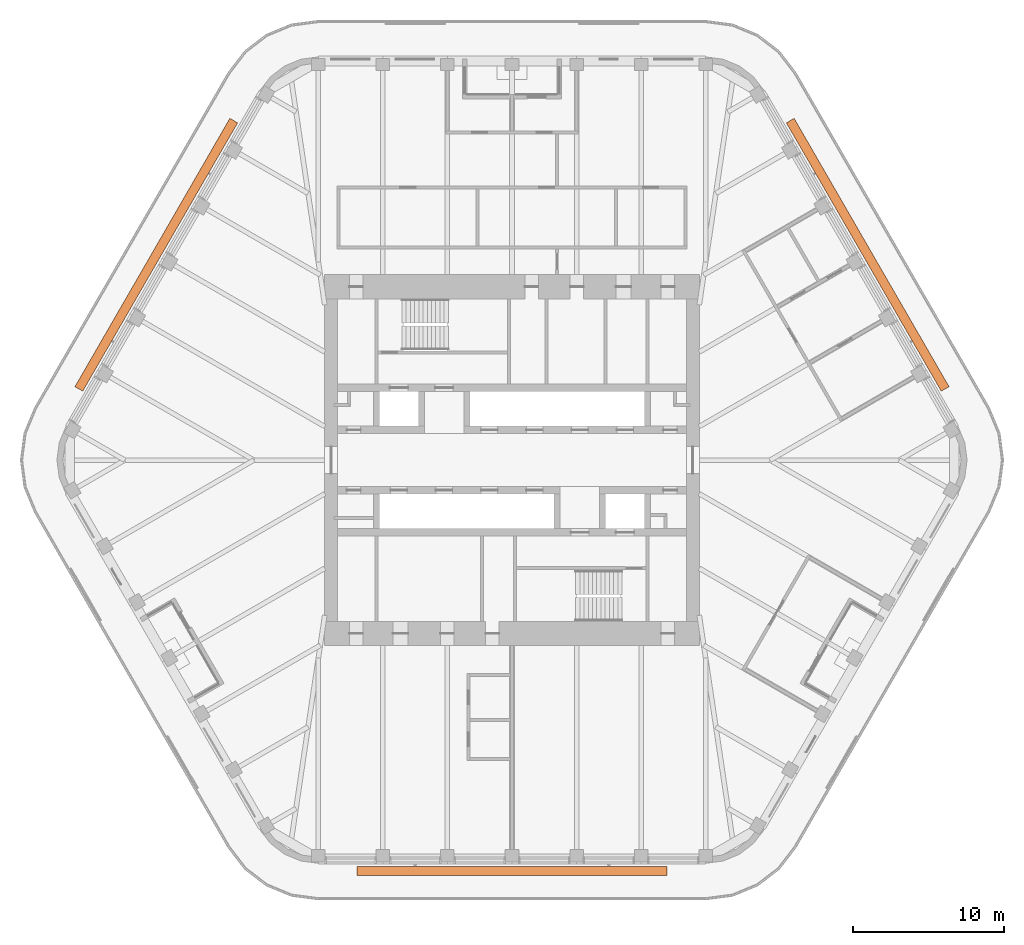
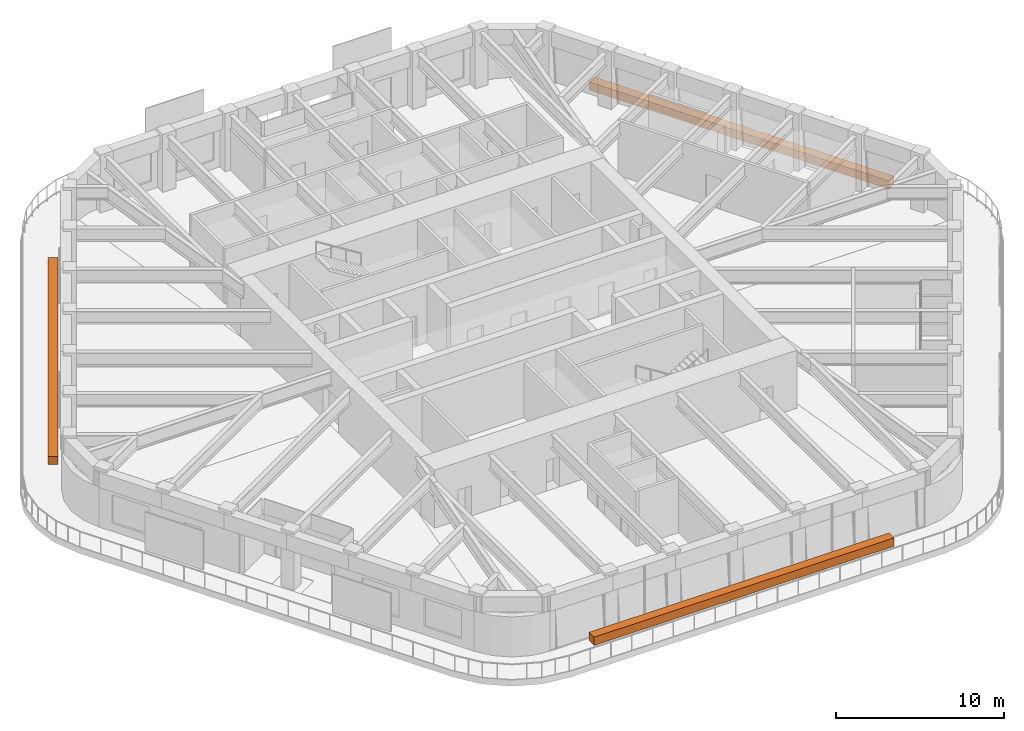
# One storey, part 19 of 19: 3 proxies.
"""IFC4 building model written with IfcOpenShell, lengths in metres."""

from ifc_helpers import new_model, si_unit, direction, frame, origin, origin_2d, place, context, subcontext, project, spatial, rectangle, extrude, material, element, save


model = new_model("IFC4")

# Units and contexts
model_context = context("Model", 3, precision=1e-05, world=origin(), true_north=direction((0.0, 1.0)))
body_context = subcontext(model_context, "Body", "Model", "MODEL_VIEW")
ifc_project = project(units=[si_unit("LENGTHUNIT", "METRE"), si_unit("AREAUNIT", "SQUARE_METRE"), si_unit("VOLUMEUNIT", "CUBIC_METRE"), si_unit("PLANEANGLEUNIT", "RADIAN"), si_unit("MASSUNIT", "GRAM", prefix="KILO")], contexts=[model_context])

# Site, building, storey
site_placement = place(None, origin())
site = spatial("IfcSite", under=ifc_project, at=site_placement, CompositionType="ELEMENT")
building_placement = place(site_placement, origin())
building = spatial("IfcBuilding", under=site, at=building_placement, Name="Tarfa Lantern Tower", CompositionType="ELEMENT")
storey_placement = place(building_placement, frame((0.0, 0.0, 366.10009765625)))
storey = spatial("IfcBuildingStorey", under=building, at=storey_placement, Name="L83", CompositionType="ELEMENT", Elevation=366.10009765625)

# Proxies
ifc_material = material(Name="Planting bed")
for number, where, z_axis, x_axis, name in (
    (1, (23.59912109375, 13.625, -0.000244140625), (0.0, 0.0, 1.0), (-0.5, 0.866025403784, 0.0), "Balcony planter"),
    (2, (-23.59912109375, 13.625, -0.000244140625), (0.0, 0.0, 1.0), (-0.5, -0.866025403784, 0.0), "Balcony planter"),
    (3, (0.0, -27.25, -0.000244140625), (0.0, 0.0, 1.0), (1.0, 0.0, 0.0), "Balcony planter"),
):
    element("IfcBuildingElementProxy", number, at=place(storey_placement, frame(where, z_axis=z_axis, x_axis=x_axis)), inside=storey, material=ifc_material, Name=name, ObjectType="PLANTER", PredefinedType="USERDEFINED", context=body_context, shape_type="SweptSolid", body=[
        extrude(rectangle(XDim=20.5537109375, YDim=0.60009765625, at=origin_2d()), origin(), (0.0, 0.0, 1.0), 0.60009765625),
    ])

save(model, "model.ifc")
